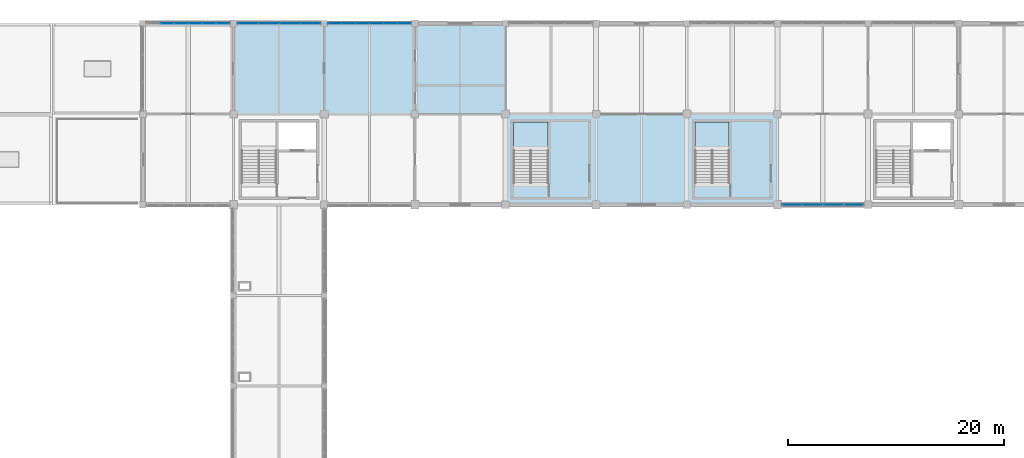
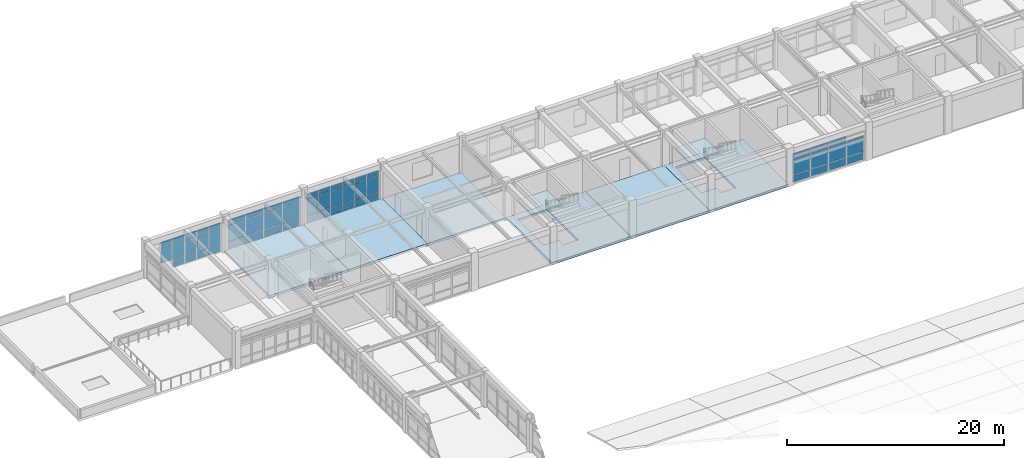
# One storey, part 26 of 40: 55 plates, 8 slabs, 6 elements without a shape of their own.
"""IFC4 building model written with IfcOpenShell, lengths in metres."""

from ifc_helpers import new_model, si_unit, direction, frame, origin, origin_2d, place, context, subcontext, project, spatial, polyline, rectangle, outline, extrude, material, layer, layer_set, type_object, element, aggregate, save


model = new_model("IFC4")

# Units and contexts
model_context = context("Model", 3, precision=1e-05, world=origin(), true_north=direction((0.0, 1.0)))
body_context = subcontext(model_context, "Body", "Model", "MODEL_VIEW")
ifc_project = project(units=[si_unit("LENGTHUNIT", "METRE"), si_unit("AREAUNIT", "SQUARE_METRE"), si_unit("VOLUMEUNIT", "CUBIC_METRE"), si_unit("PLANEANGLEUNIT", "RADIAN"), si_unit("MASSUNIT", "GRAM", prefix="KILO")], contexts=[model_context])

# Site, building, storey
site_placement = place(None, origin())
site = spatial("IfcSite", under=ifc_project, at=site_placement, CompositionType="ELEMENT")
building_placement = place(site_placement, origin())
building = spatial("IfcBuilding", under=site, at=building_placement, Name="Porcellanite Civic Hall", CompositionType="ELEMENT")
storey_placement = place(building_placement, frame((0.0, 0.0, 19.080078125)))
storey = spatial("IfcBuildingStorey", under=building, at=storey_placement, Name="L04", CompositionType="ELEMENT", Elevation=19.080078125)

# Curtain wall, plates
ifc_material_1 = material(Name="Anodised aluminium and solar laminated glass", Category="aluminium")
ifc_layer_1 = layer(ifc_material_1, 0.179931640625)
ifc_layer_set_1 = layer_set([ifc_layer_1], Name="Anodised aluminium and solar laminated glass")
curtain_wall_type_1 = type_object("IfcCurtainWallType", Name="CW-SYS03", PredefinedType="NOTDEFINED", material=ifc_layer_set_1)
curtain_wall_1_placement = place(storey_placement, origin())
curtain_wall_1 = element("IfcCurtainWall", 1, at=curtain_wall_1_placement, inside=storey, type_object=curtain_wall_type_1, Name="Curtain wall CW-252", PredefinedType="NOTDEFINED")
ifc_material_2 = material(Name="Cyclone laminated solar-control low-E glass", Category="glass")
ifc_layer_2 = layer(ifc_material_2, 0.028076171875)
ifc_layer_set_2 = layer_set([ifc_layer_2], Name="Cyclone laminated solar-control low-E glass")
plate_type_1 = type_object("IfcPlateType", Name="CWP-03", PredefinedType="CURTAIN_PANEL", material=ifc_layer_set_2)
plate_1_placement = place(storey_placement, frame((107.869873046875, 100.800048828125, 0.054931640625), z_axis=(0.0, 0.0, 1.0), x_axis=(-1.0, 0.0, 0.0)))
plate_1 = element("IfcPlate", 2, at=plate_1_placement, type_object=plate_type_1, Name="CW-252 panel 1.1", PredefinedType="CURTAIN_PANEL", context=body_context, shape_type="SweptSolid", body=[
    extrude(rectangle(XDim=1.79833984375, YDim=0.028076171875, at=origin_2d()), origin(), (0.0, 0.0, 1.0), 0.8173828125),
])
plate_2_placement = place(storey_placement, frame((107.869873046875, 100.800048828125, 0.92724609375), z_axis=(0.0, 0.0, 1.0), x_axis=(-1.0, 0.0, 0.0)))
plate_2 = element("IfcPlate", 3, at=plate_2_placement, type_object=plate_type_1, Name="CW-252 panel 1.2", PredefinedType="CURTAIN_PANEL", context=body_context, shape_type="SweptSolid", body=[
    extrude(rectangle(XDim=1.79833984375, YDim=0.028076171875, at=origin_2d()), origin(), (0.0, 0.0, 1.0), 1.764892578125),
])
plate_3_placement = place(storey_placement, frame((105.9716796875, 100.800048828125, 0.054931640625), z_axis=(0.0, 0.0, 1.0), x_axis=(-1.0, 0.0, 0.0)))
plate_3 = element("IfcPlate", 4, at=plate_3_placement, type_object=plate_type_1, Name="CW-252 panel 2.1", PredefinedType="CURTAIN_PANEL", context=body_context, shape_type="SweptSolid", body=[
    extrude(rectangle(XDim=1.838134765625, YDim=0.028076171875, at=origin_2d()), origin(), (0.0, 0.0, 1.0), 0.8173828125),
])
plate_4_placement = place(storey_placement, frame((105.9716796875, 100.800048828125, 0.92724609375), z_axis=(0.0, 0.0, 1.0), x_axis=(-1.0, 0.0, 0.0)))
plate_4 = element("IfcPlate", 5, at=plate_4_placement, type_object=plate_type_1, Name="CW-252 panel 2.2", PredefinedType="CURTAIN_PANEL", context=body_context, shape_type="SweptSolid", body=[
    extrude(rectangle(XDim=1.838134765625, YDim=0.028076171875, at=origin_2d()), origin(), (0.0, 0.0, 1.0), 1.764892578125),
])
plate_5_placement = place(storey_placement, frame((105.9716796875, 100.800048828125, 2.74755859375), z_axis=(0.0, 0.0, 1.0), x_axis=(-1.0, 0.0, 0.0)))
plate_5 = element("IfcPlate", 6, at=plate_5_placement, type_object=plate_type_1, Name="CW-252 panel 2.3", PredefinedType="CURTAIN_PANEL", context=body_context, shape_type="SweptSolid", body=[
    extrude(rectangle(XDim=1.838134765625, YDim=0.028076171875, at=origin_2d()), origin(), (0.0, 0.0, 1.0), 0.5673828125),
])
plate_6_placement = place(storey_placement, frame((104.053466796875, 100.800048828125, 0.054931640625), z_axis=(0.0, 0.0, 1.0), x_axis=(-1.0, 0.0, 0.0)))
plate_6 = element("IfcPlate", 7, at=plate_6_placement, type_object=plate_type_1, Name="CW-252 panel 3.1", PredefinedType="CURTAIN_PANEL", context=body_context, shape_type="SweptSolid", body=[
    extrude(rectangle(XDim=1.838134765625, YDim=0.028076171875, at=origin_2d()), origin(), (0.0, 0.0, 1.0), 0.8173828125),
])
plate_7_placement = place(storey_placement, frame((104.053466796875, 100.800048828125, 0.92724609375), z_axis=(0.0, 0.0, 1.0), x_axis=(-1.0, 0.0, 0.0)))
plate_7 = element("IfcPlate", 8, at=plate_7_placement, type_object=plate_type_1, Name="CW-252 panel 3.2", PredefinedType="CURTAIN_PANEL", context=body_context, shape_type="SweptSolid", body=[
    extrude(rectangle(XDim=1.838134765625, YDim=0.028076171875, at=origin_2d()), origin(), (0.0, 0.0, 1.0), 1.764892578125),
])
plate_8_placement = place(storey_placement, frame((104.053466796875, 100.800048828125, 2.74755859375), z_axis=(0.0, 0.0, 1.0), x_axis=(-1.0, 0.0, 0.0)))
plate_8 = element("IfcPlate", 9, at=plate_8_placement, type_object=plate_type_1, Name="CW-252 panel 3.3", PredefinedType="CURTAIN_PANEL", context=body_context, shape_type="SweptSolid", body=[
    extrude(rectangle(XDim=1.838134765625, YDim=0.028076171875, at=origin_2d()), origin(), (0.0, 0.0, 1.0), 0.5673828125),
])
plate_9_placement = place(storey_placement, frame((102.155029296875, 100.800048828125, 0.054931640625), z_axis=(0.0, 0.0, 1.0), x_axis=(-1.0, 0.0, 0.0)))
plate_9 = element("IfcPlate", 10, at=plate_9_placement, type_object=plate_type_1, Name="CW-252 panel 4.1", PredefinedType="CURTAIN_PANEL", context=body_context, shape_type="SweptSolid", body=[
    extrude(rectangle(XDim=1.79833984375, YDim=0.028076171875, at=origin_2d()), origin(), (0.0, 0.0, 1.0), 0.8173828125),
])
plate_10_placement = place(storey_placement, frame((102.155029296875, 100.800048828125, 0.92724609375), z_axis=(0.0, 0.0, 1.0), x_axis=(-1.0, 0.0, 0.0)))
plate_10 = element("IfcPlate", 11, at=plate_10_placement, type_object=plate_type_1, Name="CW-252 panel 4.2", PredefinedType="CURTAIN_PANEL", context=body_context, shape_type="SweptSolid", body=[
    extrude(rectangle(XDim=1.79833984375, YDim=0.028076171875, at=origin_2d()), origin(), (0.0, 0.0, 1.0), 1.764892578125),
])
plate_11_placement = place(storey_placement, frame((102.155029296875, 100.800048828125, 2.74755859375), z_axis=(0.0, 0.0, 1.0), x_axis=(-1.0, 0.0, 0.0)))
plate_11 = element("IfcPlate", 12, at=plate_11_placement, type_object=plate_type_1, Name="CW-252 panel 4.3", PredefinedType="CURTAIN_PANEL", context=body_context, shape_type="SweptSolid", body=[
    extrude(rectangle(XDim=1.79833984375, YDim=0.028076171875, at=origin_2d()), origin(), (0.0, 0.0, 1.0), 0.5673828125),
])
aggregate(curtain_wall_1, [plate_1, plate_2, plate_3, plate_4, plate_5, plate_6, plate_7, plate_8, plate_9, plate_10, plate_11])

ifc_material_3 = material(Name="Anodised aluminium and solar laminated glass", Category="aluminium")
ifc_layer_3 = layer(ifc_material_3, 0.179931640625)
ifc_layer_set_3 = layer_set([ifc_layer_3], Name="Anodised aluminium and solar laminated glass")
curtain_wall_type_2 = type_object("IfcCurtainWallType", Name="CW-SYS04", PredefinedType="NOTDEFINED", material=ifc_layer_set_3)
curtain_wall_2_placement = place(storey_placement, origin())
curtain_wall_2 = element("IfcCurtainWall", 13, at=curtain_wall_2_placement, inside=storey, type_object=curtain_wall_type_2, Name="Curtain wall CW-247", PredefinedType="NOTDEFINED")
ifc_material_4 = material(Name="Insulated ochre aluminium spandrel panel", Category="aluminium")
ifc_layer_4 = layer(ifc_material_4, 0.0380859375)
ifc_layer_set_4 = layer_set([ifc_layer_4], Name="Insulated ochre aluminium spandrel panel")
plate_type_2 = type_object("IfcPlateType", Name="CWP-08", PredefinedType="CURTAIN_PANEL", material=ifc_layer_set_4)
plate_12_placement = place(storey_placement, frame((51.71630859375, 117.60009765625, 0.054931640625), z_axis=(0.0, 0.0, 1.0), x_axis=(1.0, 0.0, 0.0)))
plate_12 = element("IfcPlate", 14, at=plate_12_placement, type_object=plate_type_2, Name="CW-247 panel 1.1", PredefinedType="CURTAIN_PANEL", context=body_context, shape_type="SweptSolid", body=[
    extrude(rectangle(XDim=1.830810546875, YDim=0.0380859375, at=origin_2d()), origin(), (0.0, 0.0, 1.0), 0.8173828125),
])
plate_13_placement = place(storey_placement, frame((51.71630859375, 117.60009765625, 0.92724609375), z_axis=(0.0, 0.0, 1.0), x_axis=(1.0, 0.0, 0.0)))
plate_13 = element("IfcPlate", 15, at=plate_13_placement, type_object=plate_type_2, Name="CW-247 panel 1.2", PredefinedType="CURTAIN_PANEL", context=body_context, shape_type="SweptSolid", body=[
    extrude(rectangle(XDim=1.830810546875, YDim=0.0380859375, at=origin_2d()), origin(), (0.0, 0.0, 1.0), 1.764892578125),
])
plate_14_placement = place(storey_placement, frame((51.71630859375, 117.60009765625, 2.74755859375), z_axis=(0.0, 0.0, 1.0), x_axis=(1.0, 0.0, 0.0)))
plate_14 = element("IfcPlate", 16, at=plate_14_placement, type_object=plate_type_2, Name="CW-247 panel 1.3", PredefinedType="CURTAIN_PANEL", context=body_context, shape_type="SweptSolid", body=[
    extrude(rectangle(XDim=1.830810546875, YDim=0.0380859375, at=origin_2d()), origin(), (0.0, 0.0, 1.0), 0.5673828125),
])
plate_15_placement = place(storey_placement, frame((53.640869140625, 117.60009765625, 0.054931640625), z_axis=(0.0, 0.0, 1.0), x_axis=(1.0, 0.0, 0.0)))
plate_15 = element("IfcPlate", 17, at=plate_15_placement, type_object=plate_type_2, Name="CW-247 panel 2.1", PredefinedType="CURTAIN_PANEL", context=body_context, shape_type="SweptSolid", body=[
    extrude(rectangle(XDim=1.8681640625, YDim=0.0380859375, at=origin_2d()), origin(), (0.0, 0.0, 1.0), 0.8173828125),
])
plate_16_placement = place(storey_placement, frame((53.640869140625, 117.60009765625, 0.92724609375), z_axis=(0.0, 0.0, 1.0), x_axis=(1.0, 0.0, 0.0)))
plate_16 = element("IfcPlate", 18, at=plate_16_placement, type_object=plate_type_2, Name="CW-247 panel 2.2", PredefinedType="CURTAIN_PANEL", context=body_context, shape_type="SweptSolid", body=[
    extrude(rectangle(XDim=1.8681640625, YDim=0.0380859375, at=origin_2d()), origin(), (0.0, 0.0, 1.0), 1.764892578125),
])
plate_17_placement = place(storey_placement, frame((53.640869140625, 117.60009765625, 2.74755859375), z_axis=(0.0, 0.0, 1.0), x_axis=(1.0, 0.0, 0.0)))
plate_17 = element("IfcPlate", 19, at=plate_17_placement, type_object=plate_type_2, Name="CW-247 panel 2.3", PredefinedType="CURTAIN_PANEL", context=body_context, shape_type="SweptSolid", body=[
    extrude(rectangle(XDim=1.8681640625, YDim=0.0380859375, at=origin_2d()), origin(), (0.0, 0.0, 1.0), 0.5673828125),
])
plate_18_placement = place(storey_placement, frame((55.584228515625, 117.60009765625, 0.054931640625), z_axis=(0.0, 0.0, 1.0), x_axis=(1.0, 0.0, 0.0)))
plate_18 = element("IfcPlate", 20, at=plate_18_placement, type_object=plate_type_2, Name="CW-247 panel 3.1", PredefinedType="CURTAIN_PANEL", context=body_context, shape_type="SweptSolid", body=[
    extrude(rectangle(XDim=1.8681640625, YDim=0.0380859375, at=origin_2d()), origin(), (0.0, 0.0, 1.0), 0.8173828125),
])
plate_19_placement = place(storey_placement, frame((55.584228515625, 117.60009765625, 0.92724609375), z_axis=(0.0, 0.0, 1.0), x_axis=(1.0, 0.0, 0.0)))
plate_19 = element("IfcPlate", 21, at=plate_19_placement, type_object=plate_type_2, Name="CW-247 panel 3.2", PredefinedType="CURTAIN_PANEL", context=body_context, shape_type="SweptSolid", body=[
    extrude(rectangle(XDim=1.8681640625, YDim=0.0380859375, at=origin_2d()), origin(), (0.0, 0.0, 1.0), 1.764892578125),
])
plate_20_placement = place(storey_placement, frame((55.584228515625, 117.60009765625, 2.74755859375), z_axis=(0.0, 0.0, 1.0), x_axis=(1.0, 0.0, 0.0)))
plate_20 = element("IfcPlate", 22, at=plate_20_placement, type_object=plate_type_2, Name="CW-247 panel 3.3", PredefinedType="CURTAIN_PANEL", context=body_context, shape_type="SweptSolid", body=[
    extrude(rectangle(XDim=1.8681640625, YDim=0.0380859375, at=origin_2d()), origin(), (0.0, 0.0, 1.0), 0.5673828125),
])
plate_21_placement = place(storey_placement, frame((57.508544921875, 117.60009765625, 0.054931640625), z_axis=(0.0, 0.0, 1.0), x_axis=(1.0, 0.0, 0.0)))
plate_21 = element("IfcPlate", 23, at=plate_21_placement, type_object=plate_type_2, Name="CW-247 panel 4.1", PredefinedType="CURTAIN_PANEL", context=body_context, shape_type="SweptSolid", body=[
    extrude(rectangle(XDim=1.830810546875, YDim=0.0380859375, at=origin_2d()), origin(), (0.0, 0.0, 1.0), 0.8173828125),
])
plate_22_placement = place(storey_placement, frame((57.508544921875, 117.60009765625, 0.92724609375), z_axis=(0.0, 0.0, 1.0), x_axis=(1.0, 0.0, 0.0)))
plate_22 = element("IfcPlate", 24, at=plate_22_placement, type_object=plate_type_2, Name="CW-247 panel 4.2", PredefinedType="CURTAIN_PANEL", context=body_context, shape_type="SweptSolid", body=[
    extrude(rectangle(XDim=1.830810546875, YDim=0.0380859375, at=origin_2d()), origin(), (0.0, 0.0, 1.0), 1.764892578125),
])
plate_23_placement = place(storey_placement, frame((57.508544921875, 117.60009765625, 2.74755859375), z_axis=(0.0, 0.0, 1.0), x_axis=(1.0, 0.0, 0.0)))
plate_23 = element("IfcPlate", 25, at=plate_23_placement, type_object=plate_type_2, Name="CW-247 panel 4.3", PredefinedType="CURTAIN_PANEL", context=body_context, shape_type="SweptSolid", body=[
    extrude(rectangle(XDim=1.830810546875, YDim=0.0380859375, at=origin_2d()), origin(), (0.0, 0.0, 1.0), 0.5673828125),
])
aggregate(curtain_wall_2, [plate_12, plate_13, plate_14, plate_15, plate_16, plate_17, plate_18, plate_19, plate_20, plate_21, plate_22, plate_23])

ifc_material_5 = material(Name="Anodised aluminium and solar laminated glass", Category="aluminium")
ifc_layer_5 = layer(ifc_material_5, 0.179931640625)
ifc_layer_set_5 = layer_set([ifc_layer_5], Name="Anodised aluminium and solar laminated glass")
curtain_wall_type_3 = type_object("IfcCurtainWallType", Name="CW-SYS01", PredefinedType="NOTDEFINED", material=ifc_layer_set_5)
curtain_wall_3_placement = place(storey_placement, origin())
curtain_wall_3 = element("IfcCurtainWall", 26, at=curtain_wall_3_placement, inside=storey, type_object=curtain_wall_type_3, Name="Curtain wall CW-239", PredefinedType="NOTDEFINED")
ifc_material_6 = material(Name="Insulated ochre aluminium spandrel panel", Category="aluminium")
ifc_layer_6 = layer(ifc_material_6, 0.0458984375)
ifc_layer_set_6 = layer_set([ifc_layer_6], Name="Insulated ochre aluminium spandrel panel")
plate_type_3 = type_object("IfcPlateType", Name="CWP-10", PredefinedType="CURTAIN_PANEL", material=ifc_layer_set_6)
plate_24_placement = place(storey_placement, frame((44.244140625, 117.60009765625, 0.9296875), z_axis=(0.0, 0.0, 1.0), x_axis=(1.0, 0.0, 0.0)))
plate_24 = element("IfcPlate", 27, at=plate_24_placement, type_object=plate_type_3, Name="CW-239 panel 2.2", PredefinedType="CURTAIN_PANEL", context=body_context, shape_type="SweptSolid", body=[
    extrude(rectangle(XDim=1.2255859375, YDim=0.0458984375, at=origin_2d()), origin(), (0.0, 0.0, 1.0), 1.760009765625),
])
plate_25_placement = place(storey_placement, frame((44.244140625, 117.60009765625, 2.75), z_axis=(0.0, 0.0, 1.0), x_axis=(1.0, 0.0, 0.0)))
plate_25 = element("IfcPlate", 28, at=plate_25_placement, type_object=plate_type_3, Name="CW-239 panel 2.3", PredefinedType="CURTAIN_PANEL", context=body_context, shape_type="SweptSolid", body=[
    extrude(rectangle(XDim=1.2255859375, YDim=0.0458984375, at=origin_2d()), origin(), (0.0, 0.0, 1.0), 0.56005859375),
])
plate_26_placement = place(storey_placement, frame((45.539794921875, 117.60009765625, 0.059814453125), z_axis=(0.0, 0.0, 1.0), x_axis=(1.0, 0.0, 0.0)))
plate_26 = element("IfcPlate", 29, at=plate_26_placement, type_object=plate_type_3, Name="CW-239 panel 3.1", PredefinedType="CURTAIN_PANEL", context=body_context, shape_type="SweptSolid", body=[
    extrude(rectangle(XDim=1.2255859375, YDim=0.0458984375, at=origin_2d()), origin(), (0.0, 0.0, 1.0), 0.81005859375),
])
plate_27_placement = place(storey_placement, frame((45.539794921875, 117.60009765625, 0.9296875), z_axis=(0.0, 0.0, 1.0), x_axis=(1.0, 0.0, 0.0)))
plate_27 = element("IfcPlate", 30, at=plate_27_placement, type_object=plate_type_3, Name="CW-239 panel 3.2", PredefinedType="CURTAIN_PANEL", context=body_context, shape_type="SweptSolid", body=[
    extrude(rectangle(XDim=1.2255859375, YDim=0.0458984375, at=origin_2d()), origin(), (0.0, 0.0, 1.0), 1.760009765625),
])
plate_28_placement = place(storey_placement, frame((45.539794921875, 117.60009765625, 2.75), z_axis=(0.0, 0.0, 1.0), x_axis=(1.0, 0.0, 0.0)))
plate_28 = element("IfcPlate", 31, at=plate_28_placement, type_object=plate_type_3, Name="CW-239 panel 3.3", PredefinedType="CURTAIN_PANEL", context=body_context, shape_type="SweptSolid", body=[
    extrude(rectangle(XDim=1.2255859375, YDim=0.0458984375, at=origin_2d()), origin(), (0.0, 0.0, 1.0), 0.56005859375),
])
plate_29_placement = place(storey_placement, frame((46.835205078125, 117.60009765625, 0.059814453125), z_axis=(0.0, 0.0, 1.0), x_axis=(1.0, 0.0, 0.0)))
plate_29 = element("IfcPlate", 32, at=plate_29_placement, type_object=plate_type_3, Name="CW-239 panel 4.1", PredefinedType="CURTAIN_PANEL", context=body_context, shape_type="SweptSolid", body=[
    extrude(rectangle(XDim=1.2255859375, YDim=0.0458984375, at=origin_2d()), origin(), (0.0, 0.0, 1.0), 0.81005859375),
])
plate_30_placement = place(storey_placement, frame((46.835205078125, 117.60009765625, 0.9296875), z_axis=(0.0, 0.0, 1.0), x_axis=(1.0, 0.0, 0.0)))
plate_30 = element("IfcPlate", 33, at=plate_30_placement, type_object=plate_type_3, Name="CW-239 panel 4.2", PredefinedType="CURTAIN_PANEL", context=body_context, shape_type="SweptSolid", body=[
    extrude(rectangle(XDim=1.2255859375, YDim=0.0458984375, at=origin_2d()), origin(), (0.0, 0.0, 1.0), 1.760009765625),
])
plate_31_placement = place(storey_placement, frame((46.835205078125, 117.60009765625, 2.75), z_axis=(0.0, 0.0, 1.0), x_axis=(1.0, 0.0, 0.0)))
plate_31 = element("IfcPlate", 34, at=plate_31_placement, type_object=plate_type_3, Name="CW-239 panel 4.3", PredefinedType="CURTAIN_PANEL", context=body_context, shape_type="SweptSolid", body=[
    extrude(rectangle(XDim=1.2255859375, YDim=0.0458984375, at=origin_2d()), origin(), (0.0, 0.0, 1.0), 0.56005859375),
])
plate_32_placement = place(storey_placement, frame((48.130859375, 117.60009765625, 0.059814453125), z_axis=(0.0, 0.0, 1.0), x_axis=(1.0, 0.0, 0.0)))
plate_32 = element("IfcPlate", 35, at=plate_32_placement, type_object=plate_type_3, Name="CW-239 panel 5.1", PredefinedType="CURTAIN_PANEL", context=body_context, shape_type="SweptSolid", body=[
    extrude(rectangle(XDim=1.2255859375, YDim=0.0458984375, at=origin_2d()), origin(), (0.0, 0.0, 1.0), 0.81005859375),
])
plate_33_placement = place(storey_placement, frame((48.130859375, 117.60009765625, 0.9296875), z_axis=(0.0, 0.0, 1.0), x_axis=(1.0, 0.0, 0.0)))
plate_33 = element("IfcPlate", 36, at=plate_33_placement, type_object=plate_type_3, Name="CW-239 panel 5.2", PredefinedType="CURTAIN_PANEL", context=body_context, shape_type="SweptSolid", body=[
    extrude(rectangle(XDim=1.2255859375, YDim=0.0458984375, at=origin_2d()), origin(), (0.0, 0.0, 1.0), 1.760009765625),
])
plate_34_placement = place(storey_placement, frame((48.130859375, 117.60009765625, 2.75), z_axis=(0.0, 0.0, 1.0), x_axis=(1.0, 0.0, 0.0)))
plate_34 = element("IfcPlate", 37, at=plate_34_placement, type_object=plate_type_3, Name="CW-239 panel 5.3", PredefinedType="CURTAIN_PANEL", context=body_context, shape_type="SweptSolid", body=[
    extrude(rectangle(XDim=1.2255859375, YDim=0.0458984375, at=origin_2d()), origin(), (0.0, 0.0, 1.0), 0.56005859375),
])
plate_35_placement = place(storey_placement, frame((49.40869140625, 117.60009765625, 0.059814453125), z_axis=(0.0, 0.0, 1.0), x_axis=(1.0, 0.0, 0.0)))
plate_35 = element("IfcPlate", 38, at=plate_35_placement, type_object=plate_type_3, Name="CW-239 panel 6.1", PredefinedType="CURTAIN_PANEL", context=body_context, shape_type="SweptSolid", body=[
    extrude(rectangle(XDim=1.1904296875, YDim=0.0458984375, at=origin_2d()), origin(), (0.0, 0.0, 1.0), 0.81005859375),
])
plate_36_placement = place(storey_placement, frame((49.40869140625, 117.60009765625, 0.9296875), z_axis=(0.0, 0.0, 1.0), x_axis=(1.0, 0.0, 0.0)))
plate_36 = element("IfcPlate", 39, at=plate_36_placement, type_object=plate_type_3, Name="CW-239 panel 6.2", PredefinedType="CURTAIN_PANEL", context=body_context, shape_type="SweptSolid", body=[
    extrude(rectangle(XDim=1.1904296875, YDim=0.0458984375, at=origin_2d()), origin(), (0.0, 0.0, 1.0), 1.760009765625),
])
plate_37_placement = place(storey_placement, frame((49.40869140625, 117.60009765625, 2.75), z_axis=(0.0, 0.0, 1.0), x_axis=(1.0, 0.0, 0.0)))
plate_37 = element("IfcPlate", 40, at=plate_37_placement, type_object=plate_type_3, Name="CW-239 panel 6.3", PredefinedType="CURTAIN_PANEL", context=body_context, shape_type="SweptSolid", body=[
    extrude(rectangle(XDim=1.1904296875, YDim=0.0458984375, at=origin_2d()), origin(), (0.0, 0.0, 1.0), 0.56005859375),
])
aggregate(curtain_wall_3, [plate_24, plate_25, plate_26, plate_27, plate_28, plate_29, plate_30, plate_31, plate_32, plate_33, plate_34, plate_35, plate_36, plate_37])

ifc_material_7 = material(Name="Anodised aluminium and solar laminated glass", Category="aluminium")
ifc_layer_7 = layer(ifc_material_7, 0.179931640625)
ifc_layer_set_7 = layer_set([ifc_layer_7], Name="Anodised aluminium and solar laminated glass")
curtain_wall_type_4 = type_object("IfcCurtainWallType", Name="CW-SYS07", PredefinedType="NOTDEFINED", material=ifc_layer_set_7)
curtain_wall_4_placement = place(storey_placement, origin())
curtain_wall_4 = element("IfcCurtainWall", 41, at=curtain_wall_4_placement, inside=storey, type_object=curtain_wall_type_4, Name="Curtain wall CW-249", PredefinedType="NOTDEFINED")
plate_38_placement = place(storey_placement, frame((59.763671875, 117.60009765625, 0.0498046875), z_axis=(0.0, 0.0, 1.0), x_axis=(1.0, 0.0, 0.0)))
plate_38 = element("IfcPlate", 42, at=plate_38_placement, type_object=plate_type_3, Name="CW-249 panel 1.1", PredefinedType="CURTAIN_PANEL", context=body_context, shape_type="SweptSolid", body=[
    extrude(rectangle(XDim=1.20556640625, YDim=0.0458984375, at=origin_2d()), origin(), (0.0, 0.0, 1.0), 0.824951171875),
])
plate_39_placement = place(storey_placement, frame((59.763671875, 117.60009765625, 0.9248046875), z_axis=(0.0, 0.0, 1.0), x_axis=(1.0, 0.0, 0.0)))
plate_39 = element("IfcPlate", 43, at=plate_39_placement, type_object=plate_type_3, Name="CW-249 panel 1.2", PredefinedType="CURTAIN_PANEL", context=body_context, shape_type="SweptSolid", body=[
    extrude(rectangle(XDim=1.20556640625, YDim=0.0458984375, at=origin_2d()), origin(), (0.0, 0.0, 1.0), 1.77001953125),
])
plate_40_placement = place(storey_placement, frame((59.763671875, 117.60009765625, 2.7451171875), z_axis=(0.0, 0.0, 1.0), x_axis=(1.0, 0.0, 0.0)))
plate_40 = element("IfcPlate", 44, at=plate_40_placement, type_object=plate_type_3, Name="CW-249 panel 1.3", PredefinedType="CURTAIN_PANEL", context=body_context, shape_type="SweptSolid", body=[
    extrude(rectangle(XDim=1.20556640625, YDim=0.0458984375, at=origin_2d()), origin(), (0.0, 0.0, 1.0), 0.574951171875),
])
plate_41_placement = place(storey_placement, frame((61.044189453125, 117.60009765625, 0.0498046875), z_axis=(0.0, 0.0, 1.0), x_axis=(1.0, 0.0, 0.0)))
plate_41 = element("IfcPlate", 45, at=plate_41_placement, type_object=plate_type_3, Name="CW-249 panel 2.1", PredefinedType="CURTAIN_PANEL", context=body_context, shape_type="SweptSolid", body=[
    extrude(rectangle(XDim=1.235595703125, YDim=0.0458984375, at=origin_2d()), origin(), (0.0, 0.0, 1.0), 0.824951171875),
])
plate_42_placement = place(storey_placement, frame((61.044189453125, 117.60009765625, 0.9248046875), z_axis=(0.0, 0.0, 1.0), x_axis=(1.0, 0.0, 0.0)))
plate_42 = element("IfcPlate", 46, at=plate_42_placement, type_object=plate_type_3, Name="CW-249 panel 2.2", PredefinedType="CURTAIN_PANEL", context=body_context, shape_type="SweptSolid", body=[
    extrude(rectangle(XDim=1.235595703125, YDim=0.0458984375, at=origin_2d()), origin(), (0.0, 0.0, 1.0), 1.77001953125),
])
plate_43_placement = place(storey_placement, frame((61.044189453125, 117.60009765625, 2.7451171875), z_axis=(0.0, 0.0, 1.0), x_axis=(1.0, 0.0, 0.0)))
plate_43 = element("IfcPlate", 47, at=plate_43_placement, type_object=plate_type_3, Name="CW-249 panel 2.3", PredefinedType="CURTAIN_PANEL", context=body_context, shape_type="SweptSolid", body=[
    extrude(rectangle(XDim=1.235595703125, YDim=0.0458984375, at=origin_2d()), origin(), (0.0, 0.0, 1.0), 0.574951171875),
])
plate_44_placement = place(storey_placement, frame((62.33984375, 117.60009765625, 0.0498046875), z_axis=(0.0, 0.0, 1.0), x_axis=(1.0, 0.0, 0.0)))
plate_44 = element("IfcPlate", 48, at=plate_44_placement, type_object=plate_type_3, Name="CW-249 panel 3.1", PredefinedType="CURTAIN_PANEL", context=body_context, shape_type="SweptSolid", body=[
    extrude(rectangle(XDim=1.235595703125, YDim=0.0458984375, at=origin_2d()), origin(), (0.0, 0.0, 1.0), 0.824951171875),
])
plate_45_placement = place(storey_placement, frame((62.33984375, 117.60009765625, 0.9248046875), z_axis=(0.0, 0.0, 1.0), x_axis=(1.0, 0.0, 0.0)))
plate_45 = element("IfcPlate", 49, at=plate_45_placement, type_object=plate_type_3, Name="CW-249 panel 3.2", PredefinedType="CURTAIN_PANEL", context=body_context, shape_type="SweptSolid", body=[
    extrude(rectangle(XDim=1.235595703125, YDim=0.0458984375, at=origin_2d()), origin(), (0.0, 0.0, 1.0), 1.77001953125),
])
plate_46_placement = place(storey_placement, frame((62.33984375, 117.60009765625, 2.7451171875), z_axis=(0.0, 0.0, 1.0), x_axis=(1.0, 0.0, 0.0)))
plate_46 = element("IfcPlate", 50, at=plate_46_placement, type_object=plate_type_3, Name="CW-249 panel 3.3", PredefinedType="CURTAIN_PANEL", context=body_context, shape_type="SweptSolid", body=[
    extrude(rectangle(XDim=1.235595703125, YDim=0.0458984375, at=origin_2d()), origin(), (0.0, 0.0, 1.0), 0.574951171875),
])
plate_47_placement = place(storey_placement, frame((63.63525390625, 117.60009765625, 0.0498046875), z_axis=(0.0, 0.0, 1.0), x_axis=(1.0, 0.0, 0.0)))
plate_47 = element("IfcPlate", 51, at=plate_47_placement, type_object=plate_type_3, Name="CW-249 panel 4.1", PredefinedType="CURTAIN_PANEL", context=body_context, shape_type="SweptSolid", body=[
    extrude(rectangle(XDim=1.235595703125, YDim=0.0458984375, at=origin_2d()), origin(), (0.0, 0.0, 1.0), 0.824951171875),
])
plate_48_placement = place(storey_placement, frame((63.63525390625, 117.60009765625, 0.9248046875), z_axis=(0.0, 0.0, 1.0), x_axis=(1.0, 0.0, 0.0)))
plate_48 = element("IfcPlate", 52, at=plate_48_placement, type_object=plate_type_3, Name="CW-249 panel 4.2", PredefinedType="CURTAIN_PANEL", context=body_context, shape_type="SweptSolid", body=[
    extrude(rectangle(XDim=1.235595703125, YDim=0.0458984375, at=origin_2d()), origin(), (0.0, 0.0, 1.0), 1.77001953125),
])
plate_49_placement = place(storey_placement, frame((63.63525390625, 117.60009765625, 2.7451171875), z_axis=(0.0, 0.0, 1.0), x_axis=(1.0, 0.0, 0.0)))
plate_49 = element("IfcPlate", 53, at=plate_49_placement, type_object=plate_type_3, Name="CW-249 panel 4.3", PredefinedType="CURTAIN_PANEL", context=body_context, shape_type="SweptSolid", body=[
    extrude(rectangle(XDim=1.235595703125, YDim=0.0458984375, at=origin_2d()), origin(), (0.0, 0.0, 1.0), 0.574951171875),
])
plate_50_placement = place(storey_placement, frame((64.9306640625, 117.60009765625, 0.0498046875), z_axis=(0.0, 0.0, 1.0), x_axis=(1.0, 0.0, 0.0)))
plate_50 = element("IfcPlate", 54, at=plate_50_placement, type_object=plate_type_3, Name="CW-249 panel 5.1", PredefinedType="CURTAIN_PANEL", context=body_context, shape_type="SweptSolid", body=[
    extrude(rectangle(XDim=1.235595703125, YDim=0.0458984375, at=origin_2d()), origin(), (0.0, 0.0, 1.0), 0.824951171875),
])
plate_51_placement = place(storey_placement, frame((64.9306640625, 117.60009765625, 0.9248046875), z_axis=(0.0, 0.0, 1.0), x_axis=(1.0, 0.0, 0.0)))
plate_51 = element("IfcPlate", 55, at=plate_51_placement, type_object=plate_type_3, Name="CW-249 panel 5.2", PredefinedType="CURTAIN_PANEL", context=body_context, shape_type="SweptSolid", body=[
    extrude(rectangle(XDim=1.235595703125, YDim=0.0458984375, at=origin_2d()), origin(), (0.0, 0.0, 1.0), 1.77001953125),
])
plate_52_placement = place(storey_placement, frame((64.9306640625, 117.60009765625, 2.7451171875), z_axis=(0.0, 0.0, 1.0), x_axis=(1.0, 0.0, 0.0)))
plate_52 = element("IfcPlate", 56, at=plate_52_placement, type_object=plate_type_3, Name="CW-249 panel 5.3", PredefinedType="CURTAIN_PANEL", context=body_context, shape_type="SweptSolid", body=[
    extrude(rectangle(XDim=1.235595703125, YDim=0.0458984375, at=origin_2d()), origin(), (0.0, 0.0, 1.0), 0.574951171875),
])
plate_53_placement = place(storey_placement, frame((66.211181640625, 117.60009765625, 0.0498046875), z_axis=(0.0, 0.0, 1.0), x_axis=(1.0, 0.0, 0.0)))
plate_53 = element("IfcPlate", 57, at=plate_53_placement, type_object=plate_type_3, Name="CW-249 panel 6.1", PredefinedType="CURTAIN_PANEL", context=body_context, shape_type="SweptSolid", body=[
    extrude(rectangle(XDim=1.20556640625, YDim=0.0458984375, at=origin_2d()), origin(), (0.0, 0.0, 1.0), 0.824951171875),
])
plate_54_placement = place(storey_placement, frame((66.211181640625, 117.60009765625, 0.9248046875), z_axis=(0.0, 0.0, 1.0), x_axis=(1.0, 0.0, 0.0)))
plate_54 = element("IfcPlate", 58, at=plate_54_placement, type_object=plate_type_3, Name="CW-249 panel 6.2", PredefinedType="CURTAIN_PANEL", context=body_context, shape_type="SweptSolid", body=[
    extrude(rectangle(XDim=1.20556640625, YDim=0.0458984375, at=origin_2d()), origin(), (0.0, 0.0, 1.0), 1.77001953125),
])
plate_55_placement = place(storey_placement, frame((66.211181640625, 117.60009765625, 2.7451171875), z_axis=(0.0, 0.0, 1.0), x_axis=(1.0, 0.0, 0.0)))
plate_55 = element("IfcPlate", 59, at=plate_55_placement, type_object=plate_type_3, Name="CW-249 panel 6.3", PredefinedType="CURTAIN_PANEL", context=body_context, shape_type="SweptSolid", body=[
    extrude(rectangle(XDim=1.20556640625, YDim=0.0458984375, at=origin_2d()), origin(), (0.0, 0.0, 1.0), 0.574951171875),
])
aggregate(curtain_wall_4, [plate_38, plate_39, plate_40, plate_41, plate_42, plate_43, plate_44, plate_45, plate_46, plate_47, plate_48, plate_49, plate_50, plate_51, plate_52, plate_53, plate_54, plate_55])

# Stair, slab
ifc_material_8 = material(Name="Concrete N40 (40 MPa)", Category="concrete")
stair_type = type_object("IfcStairType", Name="STR-HT24", PredefinedType="HALF_TURN_STAIR", material=ifc_material_8)
stair_1_placement = place(storey_placement, origin())
stair_1 = element("IfcStair", 60, at=stair_1_placement, inside=storey, type_object=stair_type, Name="Fire stair ST-09 L04", PredefinedType="HALF_TURN_STAIR")
ifc_material_9 = material(Name="Concrete N40 (40 MPa)", Category="concrete")
ifc_layer_8 = layer(ifc_material_9, 0.179931640625)
ifc_layer_set_8 = layer_set([ifc_layer_8], Name="Concrete N40 (40 MPa)")
slab_type_1 = type_object("IfcSlabType", Name="LND-18", PredefinedType="LANDING", material=ifc_layer_set_8)
slab_1_placement = place(storey_placement, frame((0.0, 0.0, 1.97998046875)))
slab_1 = element("IfcSlab", 61, at=slab_1_placement, type_object=slab_type_1, Name="ST-09 landing 1", PredefinedType="LANDING", context=body_context, shape_type="SweptSolid", body=[
    extrude(outline(polyline([(76.340576171875, 105.824951171875), (79.51953125, 105.824951171875), (79.51953125, 108.45947265625), (76.340576171875, 108.45947265625), (76.340576171875, 105.824951171875)])), origin(), (0.0, 0.0, 1.0), 0.179931640625),
])
aggregate(stair_1, [slab_1])

stair_2_placement = place(storey_placement, origin())
stair_2 = element("IfcStair", 62, at=stair_2_placement, inside=storey, type_object=stair_type, Name="Fire stair ST-10 L04", PredefinedType="HALF_TURN_STAIR")
slab_2_placement = place(storey_placement, frame((0.0, 0.0, 1.97998046875)))
slab_2 = element("IfcSlab", 63, at=slab_2_placement, type_object=slab_type_1, Name="ST-10 landing 1", PredefinedType="LANDING", context=body_context, shape_type="SweptSolid", body=[
    extrude(outline(polyline([(93.140380859375, 105.824951171875), (96.319580078125, 105.824951171875), (96.319580078125, 108.45947265625), (93.140380859375, 108.45947265625), (93.140380859375, 105.824951171875)])), origin(), (0.0, 0.0, 1.0), 0.179931640625),
])
aggregate(stair_2, [slab_2])

# Slabs
ifc_material_10 = material(Name="Concrete N40 (40 MPa)", Category="concrete")
ifc_layer_9 = layer(ifc_material_10, 0.25)
ifc_layer_set_9 = layer_set([ifc_layer_9], Name="Concrete N40 (40 MPa)")
slab_type_2 = type_object("IfcSlabType", Name="SL-FL250", PredefinedType="FLOOR", material=ifc_layer_set_9)
slab_3_placement = place(storey_placement, frame((0.0, 0.0, -0.25)))
element("IfcSlab", 64, at=slab_3_placement, inside=storey, type_object=slab_type_2, Name="Slab L04 bay 7-14", PredefinedType="FLOOR", context=body_context, shape_type="SweptSolid", body=[
    extrude(outline(polyline([(50.39990234375, 109.199951171875), (58.800048828125, 109.199951171875), (58.800048828125, 117.60009765625), (50.39990234375, 117.60009765625), (50.39990234375, 109.199951171875)])), origin(), (0.0, 0.0, 1.0), 0.25),
])
slab_4_placement = place(storey_placement, frame((0.0, 0.0, -0.25)))
element("IfcSlab", 65, at=slab_4_placement, inside=storey, type_object=slab_type_2, Name="Slab L04 bay 8-14", PredefinedType="FLOOR", context=body_context, shape_type="SweptSolid", body=[
    extrude(outline(polyline([(58.800048828125, 109.199951171875), (67.199951171875, 109.199951171875), (67.199951171875, 117.60009765625), (58.800048828125, 117.60009765625), (58.800048828125, 109.199951171875)])), origin(), (0.0, 0.0, 1.0), 0.25),
])
slab_5_placement = place(storey_placement, frame((0.0, 0.0, -0.25)))
element("IfcSlab", 66, at=slab_5_placement, inside=storey, type_object=slab_type_2, Name="Slab L04 bay 9-14", PredefinedType="FLOOR", context=body_context, shape_type="SweptSolid", body=[
    extrude(outline(polyline([(67.199951171875, 109.199951171875), (75.60009765625, 109.199951171875), (75.60009765625, 117.60009765625), (67.199951171875, 117.60009765625), (67.199951171875, 109.199951171875)])), origin(), (0.0, 0.0, 1.0), 0.25),
])
slab_6_placement = place(storey_placement, frame((0.0, 0.0, -0.25)))
element("IfcSlab", 67, at=slab_6_placement, inside=storey, type_object=slab_type_2, Name="Slab L04 bay 10-13", PredefinedType="FLOOR", context=body_context, shape_type="SweptSolid", body=[
    extrude(outline(polyline([(75.60009765625, 100.800048828125), (84.0, 100.800048828125), (84.0, 109.199951171875), (75.60009765625, 109.199951171875), (75.60009765625, 100.800048828125)]), holes=[polyline([(76.3798828125, 103.64990234375), (77.9599609375, 103.64990234375), (77.9599609375, 102.800048828125), (79.52001953125, 102.800048828125), (79.52001953125, 108.419921875), (76.3798828125, 108.419921875), (76.3798828125, 103.64990234375)])]), origin(), (0.0, 0.0, 1.0), 0.25),
])
slab_7_placement = place(storey_placement, frame((0.0, 0.0, -0.25)))
element("IfcSlab", 68, at=slab_7_placement, inside=storey, type_object=slab_type_2, Name="Slab L04 bay 11-13", PredefinedType="FLOOR", context=body_context, shape_type="SweptSolid", body=[
    extrude(outline(polyline([(84.0, 100.800048828125), (92.39990234375, 100.800048828125), (92.39990234375, 109.199951171875), (84.0, 109.199951171875), (84.0, 100.800048828125)])), origin(), (0.0, 0.0, 1.0), 0.25),
])
slab_8_placement = place(storey_placement, frame((0.0, 0.0, -0.25)))
element("IfcSlab", 69, at=slab_8_placement, inside=storey, type_object=slab_type_2, Name="Slab L04 bay 12-13", PredefinedType="FLOOR", context=body_context, shape_type="SweptSolid", body=[
    extrude(outline(polyline([(92.39990234375, 100.800048828125), (100.800048828125, 100.800048828125), (100.800048828125, 109.199951171875), (92.39990234375, 109.199951171875), (92.39990234375, 100.800048828125)]), holes=[polyline([(93.179931640625, 103.64990234375), (94.760009765625, 103.64990234375), (94.760009765625, 102.800048828125), (96.320068359375, 102.800048828125), (96.320068359375, 108.419921875), (93.179931640625, 108.419921875), (93.179931640625, 103.64990234375)])]), origin(), (0.0, 0.0, 1.0), 0.25),
])

save(model, "model.ifc")
